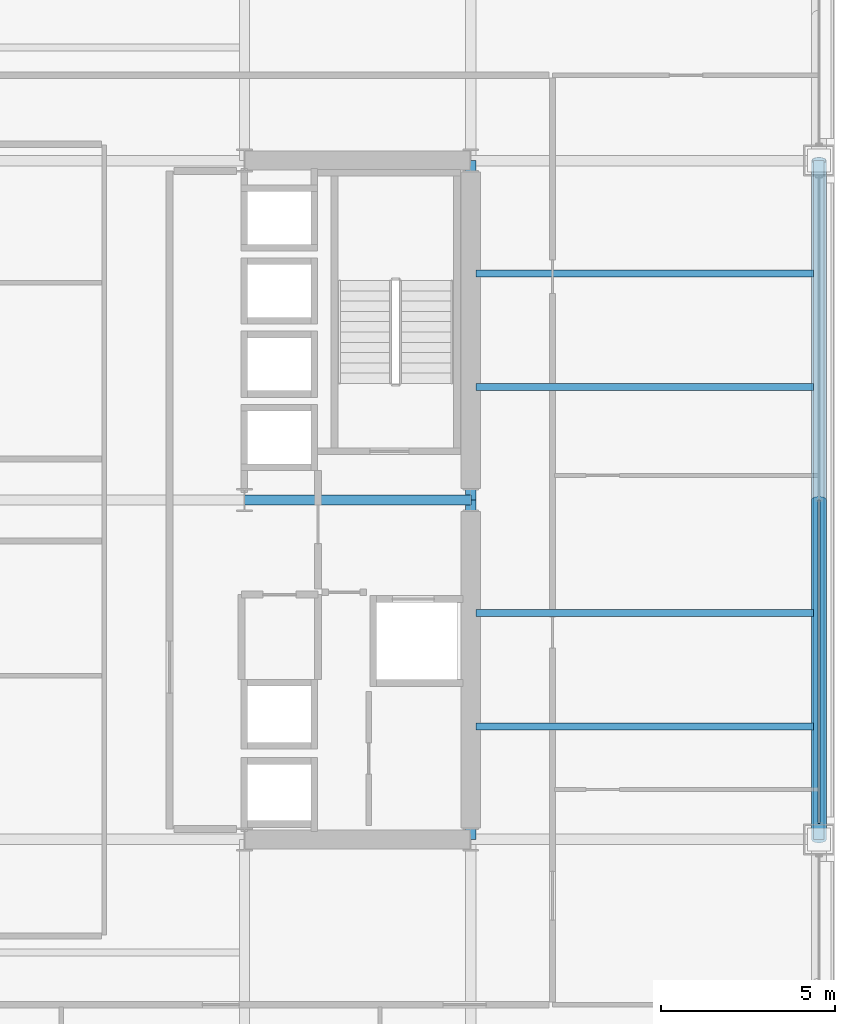
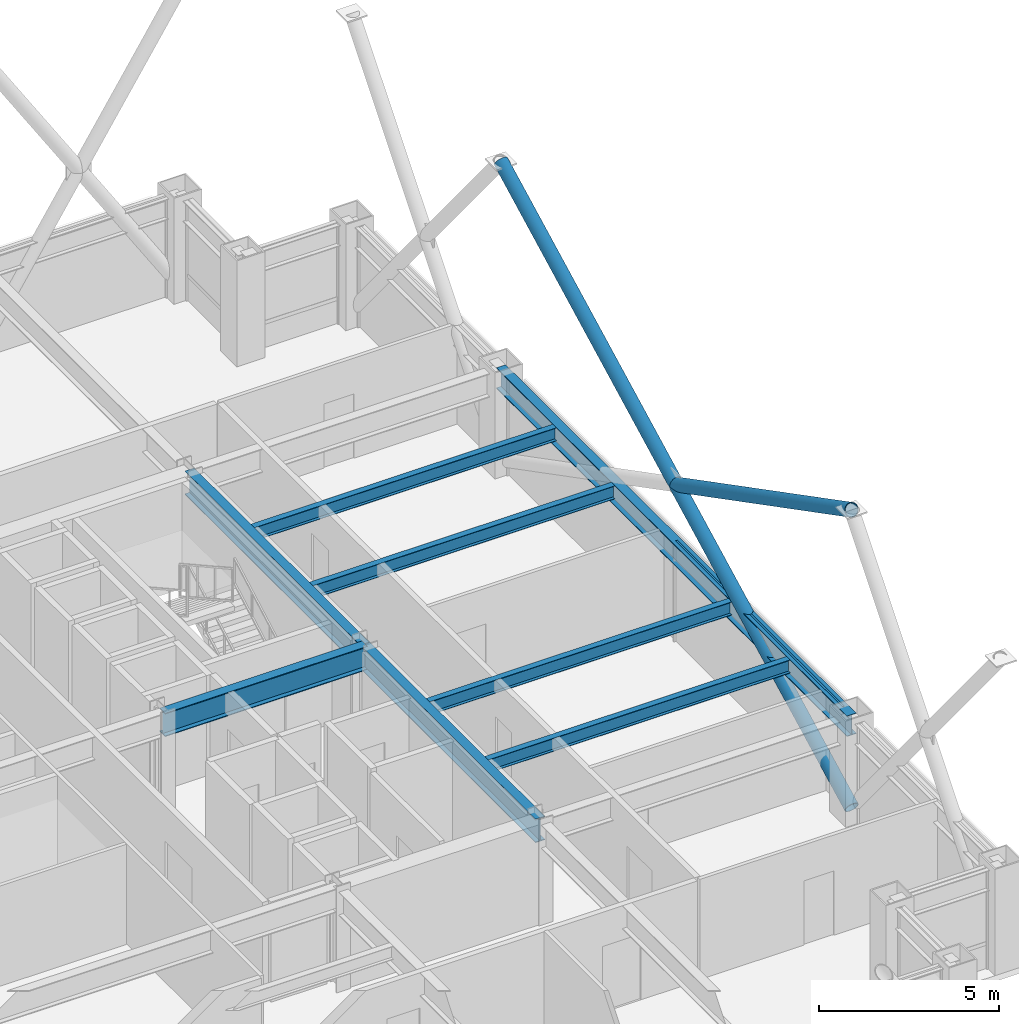
# One storey, part 12 of 30: 8 beams, 3 members, 1 element without a shape of its own.
"""IFC4 building model written with IfcOpenShell, lengths in metres."""

from ifc_helpers import new_model, si_unit, direction, frame, origin, origin_2d, place, context, subcontext, project, spatial, hollow_rectangle, hollow_circle, i_section, extrude, material, layer, layer_set, material_profile, profile_set, type_object, element, aggregate, save


model = new_model("IFC4")

# Units and contexts
model_context = context("Model", 3, precision=1e-05, world=origin(), true_north=direction((0.0, 1.0)))
body_context = subcontext(model_context, "Body", "Model", "MODEL_VIEW")
ifc_project = project(units=[si_unit("LENGTHUNIT", "METRE"), si_unit("AREAUNIT", "SQUARE_METRE"), si_unit("VOLUMEUNIT", "CUBIC_METRE"), si_unit("PLANEANGLEUNIT", "RADIAN"), si_unit("MASSUNIT", "GRAM", prefix="KILO")], contexts=[model_context])

# Site, building, storey
site_placement = place(None, origin())
site = spatial("IfcSite", under=ifc_project, at=site_placement, CompositionType="ELEMENT")
building_placement = place(site_placement, origin())
building = spatial("IfcBuilding", under=site, at=building_placement, Name="Brelmoor Portico Tower", CompositionType="ELEMENT")
storey_placement = place(building_placement, frame((0.0, 0.0, 56.39990234375)))
storey = spatial("IfcBuildingStorey", under=building, at=storey_placement, Name="L14", CompositionType="ELEMENT", Elevation=56.39990234375)

# Beams
ifc_material_1 = material(Name="Steel Q355B", Category="steel")
ifc_material_profile_1 = material_profile(ifc_material_1, i_section(OverallWidth=0.199951171875, OverallDepth=0.449951171875, WebThickness=0.009033203125, FlangeThickness=0.013916015625, at=origin_2d()), Name="HN 450x200x9x14")
ifc_profile_set_1 = profile_set([ifc_material_profile_1], Name="Steel Q355B")
beam_type_1 = type_object("IfcBeamType", Name="BM-JS-450", PredefinedType="JOIST", material=ifc_profile_set_1)
for number, where, z_axis, x_axis, name in (
    (1, (14.699951171875, -6.5, 3.175048828125), (1.0, 0.0, 0.0), (0.0, 1.0, 0.0), "L14 Secondary Wing Joist JS-E09"),
    (2, (14.699951171875, -3.25, 3.175048828125), (1.0, 0.0, 0.0), (0.0, 1.0, 0.0), "L14 Secondary Wing Joist JS-E10"),
    (3, (14.699951171875, 3.25, 3.175048828125), (1.0, 0.0, 0.0), (0.0, 1.0, 0.0), "L14 Secondary Wing Joist JS-E11"),
    (4, (14.699951171875, 6.5, 3.175048828125), (1.0, 0.0, 0.0), (0.0, 1.0, 0.0), "L14 Secondary Wing Joist JS-E12"),
):
    element("IfcBeam", number, at=place(storey_placement, frame(where, z_axis=z_axis, x_axis=x_axis)), inside=storey, type_object=beam_type_1, Name=name, PredefinedType="JOIST", context=body_context, shape_type="SweptSolid", body=[
        extrude(i_section(OverallWidth=0.199951171875, OverallDepth=0.449951171875, WebThickness=0.009033203125, FlangeThickness=0.013916015625, at=origin_2d()), origin(), (0.0, 0.0, 1.0), 9.699951171875),
    ])
ifc_material_profile_2 = material_profile(ifc_material_1, i_section(OverallWidth=0.300048828125, OverallDepth=0.800048828125, WebThickness=0.013916015625, FlangeThickness=0.02587890625, at=origin_2d()), Name="HN 800x300x14x26")
ifc_profile_set_2 = profile_set([ifc_material_profile_2], Name="Steel Q355B")
beam_type_2 = type_object("IfcBeamType", Name="BM-PG-800", PredefinedType="BEAM", material=ifc_profile_set_2)
for number, where, z_axis, x_axis, name in (
    (5, (14.550048828125, -9.75, 3.0), (0.0, 1.0, 0.0), (-1.0, 0.0, 0.0), "L14 Primary Floor Girder PG-12"),
    (6, (14.550048828125, 0.0, 3.0), (0.0, 1.0, 0.0), (-1.0, 0.0, 0.0), "L14 Primary Floor Girder PG-13"),
):
    element("IfcBeam", number, at=place(storey_placement, frame(where, z_axis=z_axis, x_axis=x_axis)), inside=storey, type_object=beam_type_2, Name=name, PredefinedType="BEAM", context=body_context, shape_type="SweptSolid", body=[
        extrude(i_section(OverallWidth=0.300048828125, OverallDepth=0.800048828125, WebThickness=0.013916015625, FlangeThickness=0.02587890625, at=origin_2d()), origin(), (0.0, 0.0, 1.0), 9.75),
    ])
beam_1_placement = place(storey_placement, frame((8.050048828125, 0.0, 3.0), z_axis=(1.0, 0.0, 0.0), x_axis=(0.0, 1.0, 0.0)))
element("IfcBeam", 7, at=beam_1_placement, inside=storey, type_object=beam_type_2, Name="L14 Primary Floor Girder PG-26", PredefinedType="BEAM", context=body_context, shape_type="SweptSolid", body=[
    extrude(i_section(OverallWidth=0.300048828125, OverallDepth=0.800048828125, WebThickness=0.013916015625, FlangeThickness=0.02587890625, at=origin_2d()), origin(), (0.0, 0.0, 1.0), 6.5),
])
ifc_material_profile_3 = material_profile(ifc_material_1, i_section(OverallWidth=0.300048828125, OverallDepth=0.699951171875, WebThickness=0.012939453125, FlangeThickness=0.02392578125, at=origin_2d()), Name="HN 700x300x13x24")
ifc_profile_set_3 = profile_set([ifc_material_profile_3], Name="Steel Q355B")
beam_type_3 = type_object("IfcBeamType", Name="BM-SP-700", PredefinedType="SPANDREL", material=ifc_profile_set_3)
beam_2_placement = place(storey_placement, frame((24.550048828125, -9.75, 3.050048828125), z_axis=(0.0, 1.0, 0.0), x_axis=(-1.0, 0.0, 0.0)))
element("IfcBeam", 8, at=beam_2_placement, inside=storey, type_object=beam_type_3, Name="L14 Perimeter Spandrel Beam SP-23", PredefinedType="SPANDREL", context=body_context, shape_type="SweptSolid", body=[
    extrude(i_section(OverallWidth=0.300048828125, OverallDepth=0.699951171875, WebThickness=0.012939453125, FlangeThickness=0.02392578125, at=origin_2d()), origin(), (0.0, 0.0, 1.0), 19.5),
])

# Members
ifc_material_profile_4 = material_profile(ifc_material_1, hollow_circle(Radius=0.212890625, WallThickness=0.02001953125, at=origin_2d()), Name="CHS 426x20")
ifc_profile_set_4 = profile_set([ifc_material_profile_4], Name="Steel Q355B")
member_type_1 = type_object("IfcMemberType", Name="MB-BELT-DIAG1", PredefinedType="BRACE", material=ifc_profile_set_4)
member_1_placement = place(storey_placement, frame((24.550048828125, -9.75, 0.25), z_axis=(0.0, 0.887959386012, 0.459921872488), x_axis=(-1.0, 0.0, 0.0)))
element("IfcMember", 9, at=member_1_placement, inside=storey, type_object=member_type_1, Name="L14 Continuous Mega-X Brace 032A", PredefinedType="BRACE", context=body_context, shape_type="SweptSolid", body=[
    extrude(hollow_circle(Radius=0.212890625, WallThickness=0.02001953125, at=origin_2d()), origin(), (0.0, 0.0, 1.0), 21.96044921875),
])
member_2_placement = place(storey_placement, frame((24.550048828125, 0.0, 5.300048828125), z_axis=(0.0, -0.887959386012, 0.459921872488), x_axis=(1.0, 0.0, 0.0)))
element("IfcMember", 10, at=member_2_placement, inside=storey, type_object=member_type_1, Name="L14 Split Mega-X Brace 032B2", PredefinedType="BRACE", context=body_context, shape_type="SweptSolid", body=[
    extrude(hollow_circle(Radius=0.212890625, WallThickness=0.02001953125, at=origin_2d()), origin(), (0.0, 0.0, 1.0), 10.980224609375),
])

# Curtain wall, member
ifc_material_2 = material(Name="Anodised Aluminium Alloy 6063-T6", Category="aluminium")
ifc_layer = layer(ifc_material_2, 0.179931640625)
ifc_layer_set = layer_set([ifc_layer], Name="Anodised Aluminium Alloy 6063-T6")
curtain_wall_type = type_object("IfcCurtainWallType", Name="CW-TOWER-Z1-XB", PredefinedType="NOTDEFINED", material=ifc_layer_set)
curtain_wall_placement = place(storey_placement, origin())
curtain_wall = element("IfcCurtainWall", 11, at=curtain_wall_placement, inside=storey, type_object=curtain_wall_type, Name="L14 Curtain Wall CW-L14-04-2", PredefinedType="NOTDEFINED")
ifc_material_profile_5 = material_profile(ifc_material_2, hollow_rectangle(XDim=0.06494140625, YDim=0.139892578125, WallThickness=0.00390625, at=origin_2d()), Name="ALU TRANSOM 65x140")
ifc_profile_set_5 = profile_set([ifc_material_profile_5], Name="Anodised Aluminium Alloy 6063-T6")
member_type_2 = type_object("IfcMemberType", Name="MB-CW-TRAN-140", PredefinedType="USERDEFINED", material=ifc_profile_set_5)
member_3_placement = place(storey_placement, frame((24.550048828125, -9.2900390625, 3.330078125), z_axis=(0.0, 1.0, 0.0), x_axis=(-1.0, 0.0, 0.0)))
member_3 = element("IfcMember", 12, at=member_3_placement, type_object=member_type_2, Name="CW-L14-04-2 Transom 1-00", ObjectType="TRANSOM", PredefinedType="USERDEFINED", context=body_context, shape_type="SweptSolid", body=[
    extrude(hollow_rectangle(XDim=0.06494140625, YDim=0.139892578125, WallThickness=0.00390625, at=origin_2d()), origin(), (0.0, 0.0, 1.0), 9.2900390625),
])
aggregate(curtain_wall, [member_3])

save(model, "model.ifc")
